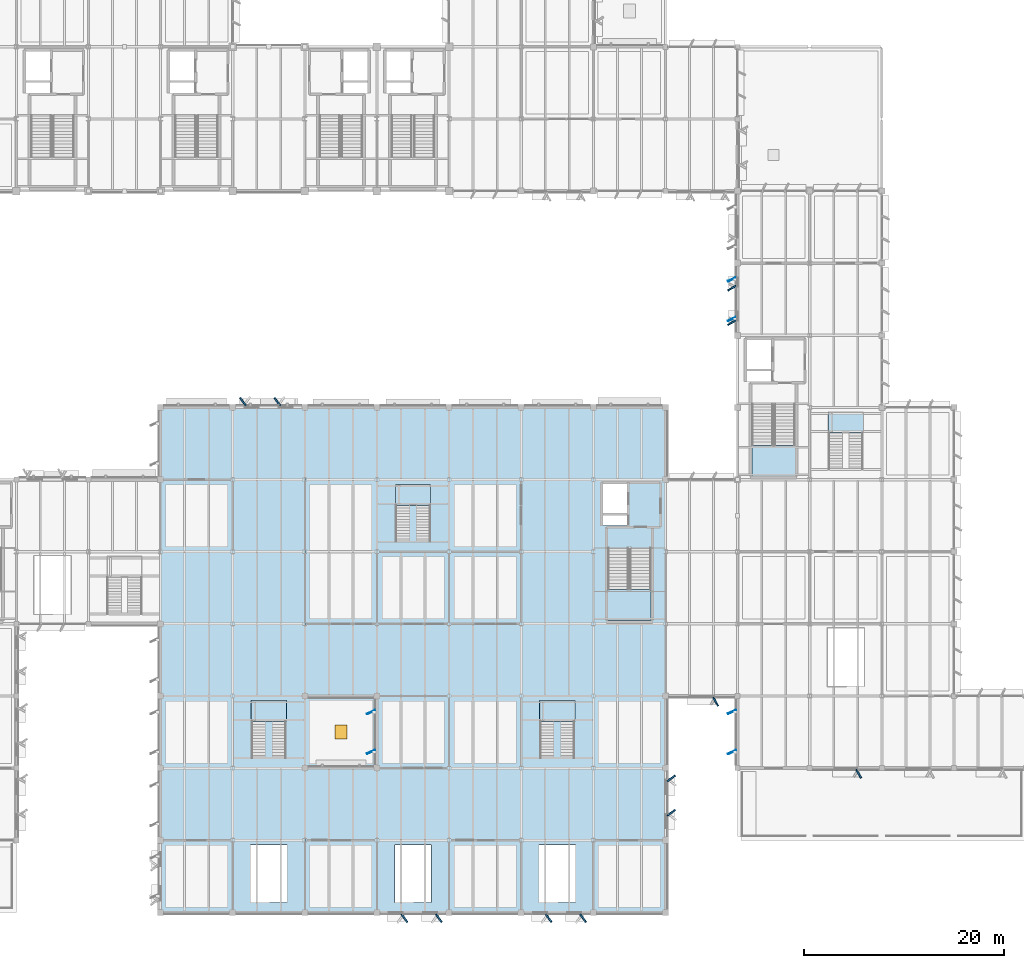
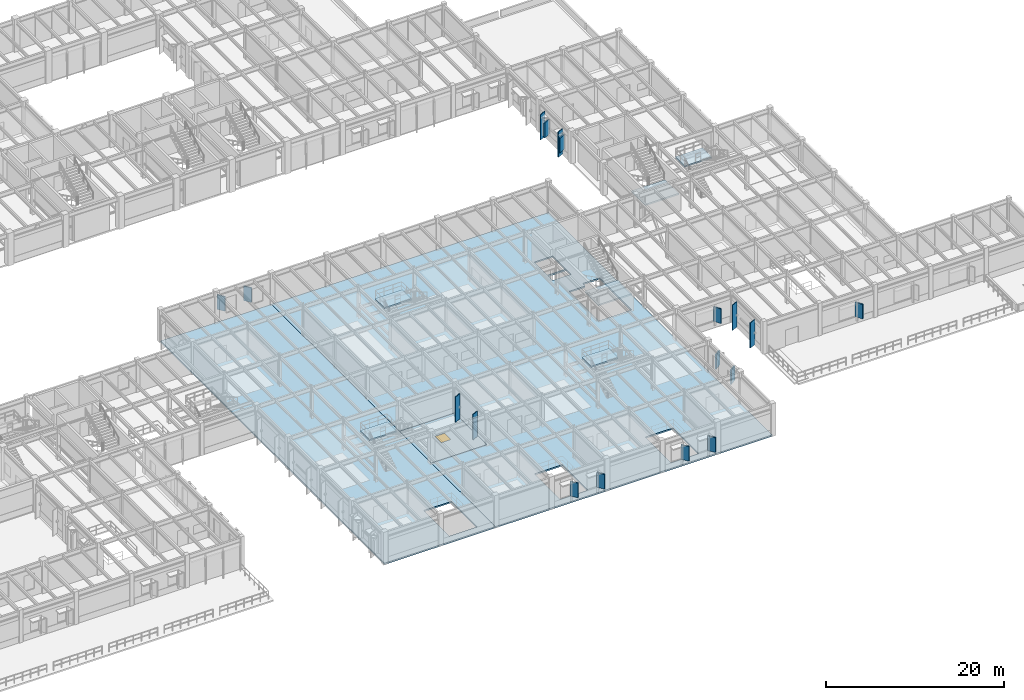
# One storey, part 26 of 92: 18 plates, 9 slabs, 1 door, 1 opening, 6 elements without a shape of their own.
"""IFC4 building model written with IfcOpenShell, lengths in metres."""

from ifc_helpers import new_model, si_unit, direction, frame, origin, origin_2d, place, context, subcontext, project, spatial, polyline, rectangle, outline, extrude, material, layer, layer_set, type_object, element, fill, aggregate, save


model = new_model("IFC4")

# Units and contexts
model_context = context("Model", 3, precision=1e-05, world=origin(), true_north=direction((0.0, 1.0)))
body_context = subcontext(model_context, "Body", "Model", "MODEL_VIEW")
ifc_project = project(units=[si_unit("LENGTHUNIT", "METRE"), si_unit("AREAUNIT", "SQUARE_METRE"), si_unit("VOLUMEUNIT", "CUBIC_METRE"), si_unit("PLANEANGLEUNIT", "RADIAN"), si_unit("MASSUNIT", "GRAM", prefix="KILO")], contexts=[model_context])

# Site, building, storey
site_placement = place(None, origin())
site = spatial("IfcSite", under=ifc_project, at=site_placement, CompositionType="ELEMENT")
building_placement = place(site_placement, origin())
building = spatial("IfcBuilding", under=site, at=building_placement, Name="Sillqori Civic Hall", CompositionType="ELEMENT")
storey_placement = place(building_placement, frame((0.0, 0.0, 5.39990234375)))
storey = spatial("IfcBuildingStorey", under=building, at=storey_placement, Name="L02", CompositionType="ELEMENT", Elevation=5.39990234375)

# Plates
ifc_material_1 = material(Name="Precast concrete C40/50 (H40)", Category="concrete")
ifc_layer_1 = layer(ifc_material_1, 0.159912109375)
ifc_layer_set_1 = layer_set([ifc_layer_1], Name="Precast concrete C40/50 (H40)")
plate_type_1 = type_object("IfcPlateType", Name="FIN-WEST-350", PredefinedType="USERDEFINED", material=ifc_layer_set_1)
for number, where, z_axis, x_axis, name in (
    (1, (85.81494140625, 23.219970703125, 0.14990234375), (0.0, 0.0, 1.0), (-0.422618261741, 0.906307787037, 0.0), "L02 west brise-soleil fin L02-12-03-W.1"),
    (2, (85.81494140625, 27.179931640625, 0.14990234375), (0.0, 0.0, 1.0), (-0.422618261741, 0.906307787037, 0.0), "L02 west brise-soleil fin L02-12-03-W.2"),
    (3, (121.824951171875, 23.18994140625, 0.14990234375), (0.0, 0.0, 1.0), (-0.422618261741, 0.906307787037, 0.0), "L02 west brise-soleil fin L02-17-03-W.1"),
    (4, (121.824951171875, 27.2099609375, 0.14990234375), (0.0, 0.0, 1.0), (-0.422618261741, 0.906307787037, 0.0), "L02 west brise-soleil fin L02-17-03-W.2"),
    (5, (121.824951171875, 66.419921875, 0.14990234375), (0.0, 0.0, 1.0), (-0.422618261741, 0.906307787037, 0.0), "L02 west brise-soleil fin L02-17-09-W.1"),
    (6, (121.824951171875, 70.3798828125, 0.14990234375), (0.0, 0.0, 1.0), (-0.422618261741, 0.906307787037, 0.0), "L02 west brise-soleil fin L02-17-09-W.2"),
):
    element("IfcPlate", number, at=place(storey_placement, frame(where, z_axis=z_axis, x_axis=x_axis)), inside=storey, type_object=plate_type_1, Name=name, ObjectType="SOLAR_FIN", PredefinedType="USERDEFINED", context=body_context, shape_type="SweptSolid", body=[
        extrude(rectangle(XDim=0.090087890625, YDim=0.8798828125, at=origin_2d()), origin(), (0.0, 0.0, 1.0), 3.467041015625),
    ])
ifc_layer_2 = layer(ifc_material_1, 0.159912109375)
ifc_layer_set_2 = layer_set([ifc_layer_2], Name="Precast concrete C40/50 (H40)")
plate_type_2 = type_object("IfcPlateType", Name="REV-SAW-200", PredefinedType="USERDEFINED", material=ifc_layer_set_2)
for number, where, z_axis, x_axis, name in (
    (7, (73.02392578125, 58.179931640625, 1.0), (0.0, 0.0, 1.0), (0.809016994375, 0.587785252292, 0.0), "Sawtooth stone window reveal L02-10-07-N.1"),
    (8, (76.4560546875, 58.179931640625, 1.0), (0.0, 0.0, 1.0), (0.809016994375, 0.587785252292, 0.0), "Sawtooth stone window reveal L02-10-07-N.2"),
    (9, (92.575927734375, 6.6201171875, 1.0), (0.0, 0.0, 1.0), (-0.809016994375, -0.587785252292, 0.0), "Sawtooth stone window reveal L02-12-01-S.1"),
    (10, (89.14404296875, 6.6201171875, 1.0), (0.0, 0.0, 1.0), (-0.809016994375, -0.587785252292, 0.0), "Sawtooth stone window reveal L02-12-01-S.2"),
    (11, (106.97607421875, 6.6201171875, 1.0), (0.0, 0.0, 1.0), (-0.809016994375, -0.587785252292, 0.0), "Sawtooth stone window reveal L02-14-01-S.1"),
    (12, (103.5439453125, 6.6201171875, 1.0), (0.0, 0.0, 1.0), (-0.809016994375, -0.587785252292, 0.0), "Sawtooth stone window reveal L02-14-01-S.2"),
    (13, (115.780029296875, 20.575927734375, 1.0), (0.0, 0.0, 1.0), (0.587785252292, -0.809016994375, 0.0), "Sawtooth stone window reveal L02-15-02-E.1"),
    (14, (115.780029296875, 17.14404296875, 1.0), (0.0, 0.0, 1.0), (0.587785252292, -0.809016994375, 0.0), "Sawtooth stone window reveal L02-15-02-E.2"),
    (15, (120.2099609375, 28.22998046875, 0.97509765625), (0.0, 0.0, 1.0), (-0.866025403784, -0.5, 0.0), "Sawtooth stone window reveal L02-16-04-S.1"),
    (16, (121.830078125, 66.073974609375, 1.0), (0.0, 0.0, 1.0), (-0.5, 0.866025403784, 0.0), "Sawtooth stone window reveal L02-17-09-W.1"),
    (17, (121.830078125, 69.506103515625, 1.0), (0.0, 0.0, 1.0), (-0.5, 0.866025403784, 0.0), "Sawtooth stone window reveal L02-17-09-W.2"),
    (18, (134.485107421875, 21.030029296875, 0.97509765625), (0.0, 0.0, 1.0), (-0.866025403784, -0.5, 0.0), "Sawtooth stone window reveal L02-18-03-S.1"),
):
    element("IfcPlate", number, at=place(storey_placement, frame(where, z_axis=z_axis, x_axis=x_axis)), inside=storey, type_object=plate_type_2, Name=name, ObjectType="REVEAL_PANEL", PredefinedType="USERDEFINED", context=body_context, shape_type="SweptSolid", body=[
        extrude(rectangle(XDim=0.159912109375, YDim=0.97998046875, at=origin_2d()), origin(), (0.0, 0.0, 1.0), 2.0),
    ])

# Slabs
ifc_material_2 = material(Name="Concrete C30/37 (H30)", Category="concrete")
ifc_layer_3 = layer(ifc_material_2, 0.199951171875)
ifc_layer_set_3 = layer_set([ifc_layer_3], Name="Concrete C30/37 (H30)")
slab_type_1 = type_object("IfcSlabType", Name="SLB-FLR-200", PredefinedType="FLOOR", material=ifc_layer_set_3)
slab_1_placement = place(storey_placement, frame((0.0, 0.0, -0.199951171875)))
element("IfcSlab", 19, at=slab_1_placement, inside=storey, type_object=slab_type_1, Name="L02 V2 composite floor slab 1.1", PredefinedType="FLOOR", context=body_context, shape_type="SweptSolid", body=[
    extrude(outline(polyline([(64.800048828125, 21.60009765625), (64.800048828125, 28.800048828125), (64.800048828125, 36.0), (64.800048828125, 43.199951171875), (64.800048828125, 50.39990234375), (64.800048828125, 57.60009765625), (72.0, 57.60009765625), (79.199951171875, 57.60009765625), (79.199951171875, 50.39990234375), (79.199951171875, 43.199951171875), (79.199951171875, 36.0), (79.199951171875, 28.800048828125), (79.199951171875, 21.60009765625), (79.199951171875, 14.39990234375), (79.199951171875, 7.199951171875), (72.0, 7.199951171875), (64.800048828125, 7.199951171875), (64.800048828125, 14.39990234375), (64.800048828125, 21.60009765625)]), holes=[polyline([(77.39990234375, 13.949951171875), (73.800048828125, 13.949951171875), (73.800048828125, 8.199951171875), (77.39990234375, 8.199951171875), (77.39990234375, 13.949951171875)])]), origin(), (0.0, 0.0, 1.0), 0.199951171875),
])
slab_2_placement = place(storey_placement, frame((0.0, 0.0, -0.199951171875)))
element("IfcSlab", 20, at=slab_2_placement, inside=storey, type_object=slab_type_1, Name="L02 V2 composite floor slab 2.1", PredefinedType="FLOOR", context=body_context, shape_type="SweptSolid", body=[
    extrude(outline(polyline([(79.199951171875, 28.800048828125), (79.199951171875, 36.0), (79.199951171875, 43.199951171875), (79.199951171875, 50.39990234375), (79.199951171875, 57.60009765625), (86.39990234375, 57.60009765625), (93.60009765625, 57.60009765625), (100.800048828125, 57.60009765625), (108.0, 57.60009765625), (115.199951171875, 57.60009765625), (115.199951171875, 50.39990234375), (115.199951171875, 43.199951171875), (115.199951171875, 36.0), (115.199951171875, 28.800048828125), (115.199951171875, 21.60009765625), (115.199951171875, 14.39990234375), (115.199951171875, 7.199951171875), (108.0, 7.199951171875), (100.800048828125, 7.199951171875), (93.60009765625, 7.199951171875), (86.39990234375, 7.199951171875), (79.199951171875, 7.199951171875), (79.199951171875, 14.39990234375), (79.199951171875, 21.60009765625), (86.39990234375, 21.60009765625), (86.39990234375, 28.800048828125), (79.199951171875, 28.800048828125)]), holes=[polyline([(91.800048828125, 8.199951171875), (91.800048828125, 13.949951171875), (88.199951171875, 13.949951171875), (88.199951171875, 8.199951171875), (91.800048828125, 8.199951171875)]), polyline([(106.199951171875, 8.199951171875), (106.199951171875, 13.949951171875), (102.60009765625, 13.949951171875), (102.60009765625, 8.199951171875), (106.199951171875, 8.199951171875)]), polyline([(111.56005859375, 43.02001953125), (109.4599609375, 43.02001953125), (109.4599609375, 36.35009765625), (113.739990234375, 36.35009765625), (113.739990234375, 43.570068359375), (111.56005859375, 43.570068359375), (111.56005859375, 43.02001953125)]), polyline([(111.35009765625, 45.800048828125), (111.35009765625, 46.89990234375), (108.949951171875, 46.89990234375), (108.949951171875, 45.800048828125), (111.35009765625, 45.800048828125)]), polyline([(111.35009765625, 47.050048828125), (111.35009765625, 49.949951171875), (108.949951171875, 49.949951171875), (108.949951171875, 47.050048828125), (111.35009765625, 47.050048828125)])]), origin(), (0.0, 0.0, 1.0), 0.199951171875),
])

# Stair, slab
ifc_material_3 = material(Name="Concrete C35/45 (H35)", Category="concrete")
stair_type_1 = type_object("IfcStairType", Name="STR-CORE-02", PredefinedType="DOUBLE_RETURN_STAIR", material=ifc_material_3)
stair_1_placement = place(storey_placement, origin())
stair_1 = element("IfcStair", 21, at=stair_1_placement, inside=storey, type_object=stair_type_1, Name="L02 Core exit stair ST-02", PredefinedType="DOUBLE_RETURN_STAIR")
ifc_layer_4 = layer(ifc_material_3, 0.199951171875)
ifc_layer_set_4 = layer_set([ifc_layer_4], Name="Concrete C35/45 (H35)")
slab_type_2 = type_object("IfcSlabType", Name="SLB-LND-220", PredefinedType="LANDING", material=ifc_layer_set_4)
slab_3_placement = place(storey_placement, frame((0.0, 0.0, 2.050048828125)))
slab_3 = element("IfcSlab", 22, at=slab_3_placement, type_object=slab_type_2, Name="ST-02 landing 1", PredefinedType="LANDING", context=body_context, shape_type="SweptSolid", body=[
    extrude(outline(polyline([(123.824951171875, 53.81005859375), (123.824951171875, 50.715087890625), (128.175048828125, 50.715087890625), (128.175048828125, 53.81005859375), (123.824951171875, 53.81005859375)])), origin(), (0.0, 0.0, 1.0), 0.199951171875),
])
aggregate(stair_1, [slab_3])

stair_type_2 = type_object("IfcStairType", Name="STR-CORE-03", PredefinedType="DOUBLE_RETURN_STAIR", material=ifc_material_3)
stair_2_placement = place(storey_placement, origin())
stair_2 = element("IfcStair", 23, at=stair_2_placement, inside=storey, type_object=stair_type_2, Name="L02 Core exit stair ST-03", PredefinedType="DOUBLE_RETURN_STAIR")
slab_4_placement = place(storey_placement, frame((0.0, 0.0, 2.050048828125)))
slab_4 = element("IfcSlab", 24, at=slab_4_placement, type_object=slab_type_2, Name="ST-03 landing 1", PredefinedType="LANDING", context=body_context, shape_type="SweptSolid", body=[
    extrude(outline(polyline([(109.425048828125, 39.409912109375), (109.425048828125, 36.31494140625), (113.77490234375, 36.31494140625), (113.77490234375, 39.409912109375), (109.425048828125, 39.409912109375)])), origin(), (0.0, 0.0, 1.0), 0.199951171875),
])
aggregate(stair_2, [slab_4])

ifc_material_4 = material(Name="Steel ASTM A992 and Honed Limestone Treads", Category="masonry")
stair_type_3 = type_object("IfcStairType", Name="STR-MON-450", PredefinedType="STRAIGHT_RUN_STAIR", material=ifc_material_4)
stair_3_placement = place(storey_placement, origin())
stair_3 = element("IfcStair", 25, at=stair_3_placement, inside=storey, type_object=stair_type_3, Name="Wedge Atrium West Gallery Stair L02-L03", PredefinedType="STRAIGHT_RUN_STAIR")
ifc_layer_5 = layer(ifc_material_3, 0.199951171875)
ifc_layer_set_5 = layer_set([ifc_layer_5], Name="Concrete C35/45 (H35)")
slab_type_3 = type_object("IfcSlabType", Name="SLB-MLND-200", PredefinedType="LANDING", material=ifc_layer_set_5)
slab_5_placement = place(storey_placement, frame((0.0, 0.0, 2.050048828125)))
slab_5 = element("IfcSlab", 26, at=slab_5_placement, type_object=slab_type_3, Name="MS-02 landing 1", PredefinedType="LANDING", context=body_context, shape_type="SweptSolid", body=[
    extrude(outline(polyline([(73.840087890625, 26.239990234375), (77.360107421875, 26.239990234375), (77.360107421875, 28.330078125), (73.840087890625, 28.330078125), (73.840087890625, 26.239990234375)])), origin(), (0.0, 0.0, 1.0), 0.199951171875),
])
aggregate(stair_3, [slab_5])

stair_4_placement = place(storey_placement, origin())
stair_4 = element("IfcStair", 27, at=stair_4_placement, inside=storey, type_object=stair_type_3, Name="Wedge Atrium East Gallery Stair L02-L03", PredefinedType="STRAIGHT_RUN_STAIR")
slab_6_placement = place(storey_placement, frame((0.0, 0.0, 2.050048828125)))
slab_6 = element("IfcSlab", 28, at=slab_6_placement, type_object=slab_type_3, Name="MS-05 landing 1", PredefinedType="LANDING", context=body_context, shape_type="SweptSolid", body=[
    extrude(outline(polyline([(102.639892578125, 26.239990234375), (106.159912109375, 26.239990234375), (106.159912109375, 28.330078125), (102.639892578125, 28.330078125), (102.639892578125, 26.239990234375)])), origin(), (0.0, 0.0, 1.0), 0.199951171875),
])
aggregate(stair_4, [slab_6])

stair_5_placement = place(storey_placement, origin())
stair_5 = element("IfcStair", 29, at=stair_5_placement, inside=storey, type_object=stair_type_3, Name="Citizens Hall North Gallery Stair L02-L03", PredefinedType="STRAIGHT_RUN_STAIR")
slab_7_placement = place(storey_placement, frame((0.0, 0.0, 2.050048828125)))
slab_7 = element("IfcSlab", 30, at=slab_7_placement, type_object=slab_type_3, Name="MS-08 landing 1", PredefinedType="LANDING", context=body_context, shape_type="SweptSolid", body=[
    extrude(outline(polyline([(88.239990234375, 47.840087890625), (91.760009765625, 47.840087890625), (91.760009765625, 49.929931640625), (88.239990234375, 49.929931640625), (88.239990234375, 47.840087890625)])), origin(), (0.0, 0.0, 1.0), 0.199951171875),
])
aggregate(stair_5, [slab_7])

stair_6_placement = place(storey_placement, origin())
stair_6 = element("IfcStair", 31, at=stair_6_placement, inside=storey, type_object=stair_type_3, Name="Members Library Stacks Stair L02-L03", PredefinedType="STRAIGHT_RUN_STAIR")
slab_8_placement = place(storey_placement, frame((0.0, 0.0, 2.050048828125)))
slab_8 = element("IfcSlab", 32, at=slab_8_placement, type_object=slab_type_3, Name="MS-17 landing 1", PredefinedType="LANDING", context=body_context, shape_type="SweptSolid", body=[
    extrude(outline(polyline([(131.43994140625, 55.0400390625), (134.9599609375, 55.0400390625), (134.9599609375, 57.1298828125), (131.43994140625, 57.1298828125), (131.43994140625, 55.0400390625)])), origin(), (0.0, 0.0, 1.0), 0.199951171875),
])
aggregate(stair_6, [slab_8])

# Slab, opening, door
ifc_layer_6 = layer(ifc_material_2, 0.199951171875)
ifc_layer_set_6 = layer_set([ifc_layer_6], Name="Concrete C30/37 (H30)")
slab_type_4 = type_object("IfcSlabType", Name="SLB-ROOF-200", PredefinedType="ROOF", material=ifc_layer_set_6)
slab_9_placement = place(storey_placement, frame((0.0, 0.0, -0.199951171875)))
slab_9 = element("IfcSlab", 33, at=slab_9_placement, inside=storey, type_object=slab_type_4, Name="L02 flat structural roof over L01 4", PredefinedType="ROOF", context=body_context, shape_type="SweptSolid", body=[
    extrude(outline(polyline([(79.199951171875, 21.60009765625), (79.199951171875, 28.800048828125), (86.39990234375, 28.800048828125), (86.39990234375, 21.60009765625), (79.199951171875, 21.60009765625)]), holes=[polyline([(82.199951171875, 24.5), (82.199951171875, 25.89990234375), (83.39990234375, 25.89990234375), (83.39990234375, 24.5), (82.199951171875, 24.5)])]), origin(), (0.0, 0.0, 1.0), 0.199951171875),
])
opening_placement = place(slab_9_placement, frame((82.800048828125, 25.199951171875, 0.0)))
opening = element("IfcOpeningElement", 34, at=opening_placement, cuts=slab_9, Name="Opening TH-02", PredefinedType="OPENING", context=body_context, shape_type="SweptSolid", body=[
    extrude(rectangle(XDim=1.199951171875, YDim=1.39990234375, at=origin_2d()), frame((0.0, 0.0, -0.010009765625)), (0.0, 0.0, 1.0), 0.219970703125),
])
ifc_material_5 = material(Name="Galvanized Insulated Steel", Category="steel")
door_type = type_object("IfcDoorType", Name="TRP-ROOF-120X140", OperationType="NOTDEFINED", PredefinedType="TRAPDOOR", material=ifc_material_5)
door_placement = place(opening_placement, frame((0.0, 0.0, 0.14990234375)))
door = element("IfcDoor", 35, at=door_placement, inside=storey, type_object=door_type, Name="L02 maintenance roof access hatch 04", OperationType="SINGLE_SWING_LEFT", OverallHeight=1.39990234375, OverallWidth=1.199951171875, PredefinedType="TRAPDOOR", context=body_context, shape_type="SweptSolid", body=[
    extrude(rectangle(XDim=1.199951171875, YDim=1.39990234375, at=origin_2d()), origin(), (0.0, 0.0, 1.0), 0.050048828125),
])
fill(opening, door)

save(model, "model.ifc")
